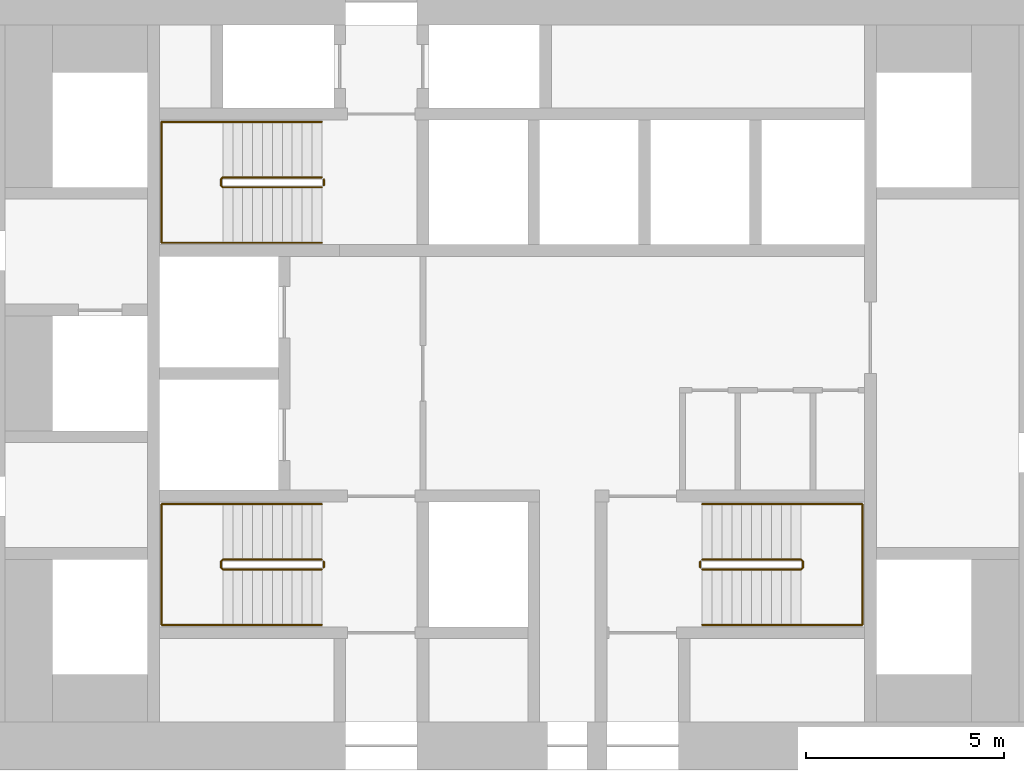
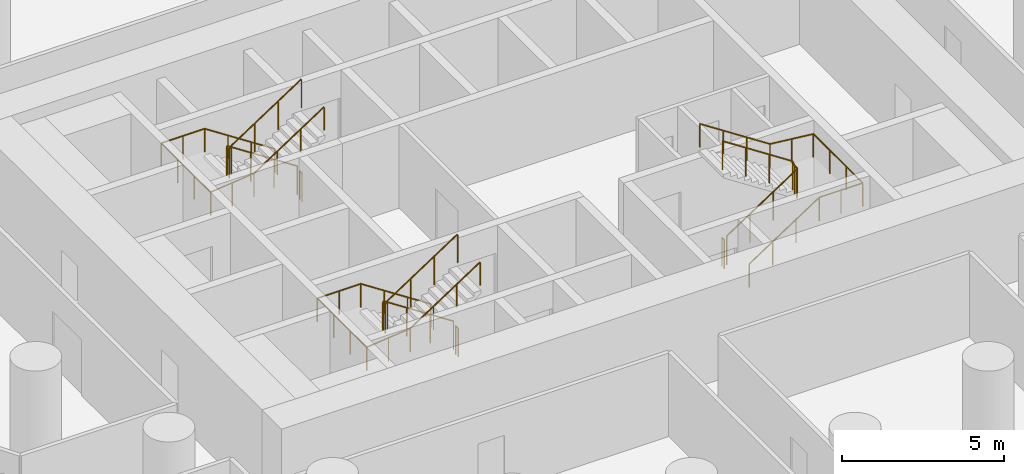
# One storey, part 12 of 12: 9 railings.
"""IFC4 building model written with IfcOpenShell, lengths in metres."""

from ifc_helpers import new_model, si_unit, direction, frame, origin, origin_2d, place, context, subcontext, project, spatial, circle, extrude, material, type_object, element, save


model = new_model("IFC4")

# Units and contexts
model_context = context("Model", 3, precision=1e-05, world=origin(), true_north=direction((0.0, 1.0)))
body_context = subcontext(model_context, "Body", "Model", "MODEL_VIEW")
ifc_project = project(units=[si_unit("LENGTHUNIT", "METRE"), si_unit("AREAUNIT", "SQUARE_METRE"), si_unit("VOLUMEUNIT", "CUBIC_METRE"), si_unit("PLANEANGLEUNIT", "RADIAN"), si_unit("MASSUNIT", "GRAM", prefix="KILO")], contexts=[model_context])

# Site, building, storey
site_placement = place(None, origin())
site = spatial("IfcSite", under=ifc_project, at=site_placement, CompositionType="ELEMENT")
building_placement = place(site_placement, origin())
building = spatial("IfcBuilding", under=site, at=building_placement, Name="Tracery Tower", CompositionType="ELEMENT")
storey_placement = place(building_placement, frame((0.0, 0.0, 49.800048828125)))
storey = spatial("IfcBuildingStorey", under=building, at=storey_placement, Name="L11", CompositionType="ELEMENT", Elevation=49.800048828125)

# Railings
ifc_material_1 = material(Name="Stainless steel and laminated glass", Category="steel")
railing_type_1 = type_object("IfcRailingType", Name="Stair guard 1100", PredefinedType="GUARDRAIL", material=ifc_material_1)
railing_1_placement = place(storey_placement, frame((-4.800048828125, -4.699951171875, 0.16357421875)))
element("IfcRailing", 1, at=railing_1_placement, inside=storey, type_object=railing_type_1, Name="L11 stair ST1 guard 1", PredefinedType="GUARDRAIL", context=body_context, shape_type="SweptSolid", body=[
    extrude(circle(Radius=0.02392578125, at=origin_2d()), frame((0.0, 0.0, 1.076171875), z_axis=(-0.83668449804, 0.0, 0.54768517484), x_axis=(0.0, -1.0, 0.0)), (0.0, 0.0, 1.0), 2.988037109375),
    extrude(circle(Radius=0.02392578125, at=origin_2d()), frame((-2.5, 0.0, 2.71240234375), z_axis=(-0.707106781187, -0.707106781187, 0.0), x_axis=(0.707106781187, -0.707106781187, 0.0)), (0.0, 0.0, 1.0), 0.07080078125),
    extrude(circle(Radius=0.02392578125, at=origin_2d()), frame((-2.550048828125, -0.050048828125, 2.71240234375), z_axis=(0.0, -1.0, 0.0), x_axis=(1.0, 0.0, 0.0)), (0.0, 0.0, 1.0), 0.14990234375),
    extrude(circle(Radius=0.02392578125, at=origin_2d()), frame((-2.550048828125, -0.199951171875, 2.71240234375), z_axis=(0.280808744504, -0.280808744504, 0.917765164963), x_axis=(0.707106781187, 0.707106781187, 0.0)), (0.0, 0.0, 1.0), 0.17822265625),
    extrude(circle(Radius=0.02392578125, at=origin_2d()), frame((-2.5, -0.25, 2.8759765625), z_axis=(0.836721939367, 0.0, 0.547627972425), x_axis=(0.0, 1.0, 0.0)), (0.0, 0.0, 1.0), 2.98779296875),
    extrude(circle(Radius=0.02099609375, at=origin_2d()), origin(), (0.0, 0.0, 1.0), 1.052001953125),
    extrude(circle(Radius=0.02099609375, at=origin_2d()), frame((-0.833251953125, 0.0, 0.54541015625)), (0.0, 0.0, 1.0), 1.052001953125),
    extrude(circle(Radius=0.02099609375, at=origin_2d()), frame((-1.666748046875, 0.0, 1.091064453125)), (0.0, 0.0, 1.0), 1.052001953125),
    extrude(circle(Radius=0.02099609375, at=origin_2d()), frame((-2.5, 0.0, 1.636474609375)), (0.0, 0.0, 1.0), 1.052001953125),
    extrude(circle(Radius=0.02099609375, at=origin_2d()), frame((-2.550048828125, -0.050048828125, 1.636474609375)), (0.0, 0.0, 1.0), 1.052001953125),
    extrude(circle(Radius=0.02099609375, at=origin_2d()), frame((-2.550048828125, -0.199951171875, 1.636474609375)), (0.0, 0.0, 1.0), 1.052001953125),
    extrude(circle(Radius=0.02099609375, at=origin_2d()), frame((-2.5, -0.25, 1.800048828125)), (0.0, 0.0, 1.0), 1.052001953125),
    extrude(circle(Radius=0.02099609375, at=origin_2d()), frame((-1.666748046875, -0.25, 2.345458984375)), (0.0, 0.0, 1.0), 1.052001953125),
    extrude(circle(Radius=0.02099609375, at=origin_2d()), frame((-0.833251953125, -0.25, 2.890869140625)), (0.0, 0.0, 1.0), 1.052001953125),
    extrude(circle(Radius=0.02099609375, at=origin_2d()), frame((0.0, -0.25, 3.436279296875)), (0.0, 0.0, 1.0), 1.052001953125),
])
railing_2_placement = place(storey_placement, frame((-4.75, -4.75, 0.0)))
element("IfcRailing", 2, at=railing_2_placement, inside=storey, type_object=railing_type_1, Name="L11 stair ST1 guard 2", PredefinedType="GUARDRAIL", context=body_context, shape_type="SweptSolid", body=[
    extrude(circle(Radius=0.02392578125, at=origin_2d()), frame((0.0, 0.0, 1.076171875), z_axis=(0.0, -1.0, 0.0), x_axis=(1.0, 0.0, 0.0)), (0.0, 0.0, 1.0), 0.14990234375),
    extrude(circle(Radius=0.02099609375, at=origin_2d()), origin(), (0.0, 0.0, 1.0), 1.052001953125),
    extrude(circle(Radius=0.02099609375, at=origin_2d()), frame((0.0, -0.14990234375, 0.0)), (0.0, 0.0, 1.0), 1.052001953125),
])
railing_3_placement = place(storey_placement, frame((-4.800048828125, 4.949951171875, 0.16357421875)))
element("IfcRailing", 3, at=railing_3_placement, inside=storey, type_object=railing_type_1, Name="L11 stair ST3 guard 1", PredefinedType="GUARDRAIL", context=body_context, shape_type="SweptSolid", body=[
    extrude(circle(Radius=0.02392578125, at=origin_2d()), frame((0.0, 0.0, 1.076171875), z_axis=(-0.83668449804, 0.0, 0.54768517484), x_axis=(0.0, -1.0, 0.0)), (0.0, 0.0, 1.0), 2.988037109375),
    extrude(circle(Radius=0.02392578125, at=origin_2d()), frame((-2.5, 0.0, 2.71240234375), z_axis=(-0.707106781187, -0.707106781187, 0.0), x_axis=(0.707106781187, -0.707106781187, 0.0)), (0.0, 0.0, 1.0), 0.07080078125),
    extrude(circle(Radius=0.02392578125, at=origin_2d()), frame((-2.550048828125, -0.050048828125, 2.71240234375), z_axis=(0.0, -1.0, 0.0), x_axis=(1.0, 0.0, 0.0)), (0.0, 0.0, 1.0), 0.14990234375),
    extrude(circle(Radius=0.02392578125, at=origin_2d()), frame((-2.550048828125, -0.199951171875, 2.71240234375), z_axis=(0.280808744504, -0.280808744504, 0.917765164963), x_axis=(0.707106781187, 0.707106781187, 0.0)), (0.0, 0.0, 1.0), 0.17822265625),
    extrude(circle(Radius=0.02392578125, at=origin_2d()), frame((-2.5, -0.25, 2.8759765625), z_axis=(0.836721939367, 0.0, 0.547627972425), x_axis=(0.0, 1.0, 0.0)), (0.0, 0.0, 1.0), 2.98779296875),
    extrude(circle(Radius=0.02099609375, at=origin_2d()), origin(), (0.0, 0.0, 1.0), 1.052001953125),
    extrude(circle(Radius=0.02099609375, at=origin_2d()), frame((-0.833251953125, 0.0, 0.54541015625)), (0.0, 0.0, 1.0), 1.052001953125),
    extrude(circle(Radius=0.02099609375, at=origin_2d()), frame((-1.666748046875, 0.0, 1.091064453125)), (0.0, 0.0, 1.0), 1.052001953125),
    extrude(circle(Radius=0.02099609375, at=origin_2d()), frame((-2.5, 0.0, 1.636474609375)), (0.0, 0.0, 1.0), 1.052001953125),
    extrude(circle(Radius=0.02099609375, at=origin_2d()), frame((-2.550048828125, -0.050048828125, 1.636474609375)), (0.0, 0.0, 1.0), 1.052001953125),
    extrude(circle(Radius=0.02099609375, at=origin_2d()), frame((-2.550048828125, -0.199951171875, 1.636474609375)), (0.0, 0.0, 1.0), 1.052001953125),
    extrude(circle(Radius=0.02099609375, at=origin_2d()), frame((-2.5, -0.25, 1.800048828125)), (0.0, 0.0, 1.0), 1.052001953125),
    extrude(circle(Radius=0.02099609375, at=origin_2d()), frame((-1.666748046875, -0.25, 2.345458984375)), (0.0, 0.0, 1.0), 1.052001953125),
    extrude(circle(Radius=0.02099609375, at=origin_2d()), frame((-0.833251953125, -0.25, 2.890869140625)), (0.0, 0.0, 1.0), 1.052001953125),
    extrude(circle(Radius=0.02099609375, at=origin_2d()), frame((0.0, -0.25, 3.436279296875)), (0.0, 0.0, 1.0), 1.052001953125),
])
railing_4_placement = place(storey_placement, frame((-4.75, 4.89990234375, 0.0)))
element("IfcRailing", 4, at=railing_4_placement, inside=storey, type_object=railing_type_1, Name="L11 stair ST3 guard 2", PredefinedType="GUARDRAIL", context=body_context, shape_type="SweptSolid", body=[
    extrude(circle(Radius=0.02392578125, at=origin_2d()), frame((0.0, 0.0, 1.076171875), z_axis=(0.0, -1.0, 0.0), x_axis=(1.0, 0.0, 0.0)), (0.0, 0.0, 1.0), 0.14990234375),
    extrude(circle(Radius=0.02099609375, at=origin_2d()), origin(), (0.0, 0.0, 1.0), 1.052001953125),
    extrude(circle(Radius=0.02099609375, at=origin_2d()), frame((0.0, -0.14990234375, 0.0)), (0.0, 0.0, 1.0), 1.052001953125),
])
railing_5_placement = place(storey_placement, frame((4.800048828125, -4.949951171875, 0.16357421875)))
element("IfcRailing", 5, at=railing_5_placement, inside=storey, type_object=railing_type_1, Name="L11 stair ST2 guard 1", PredefinedType="GUARDRAIL", context=body_context, shape_type="SweptSolid", body=[
    extrude(circle(Radius=0.02392578125, at=origin_2d()), frame((0.0, 0.0, 1.076171875), z_axis=(0.83668449804, 0.0, 0.54768517484), x_axis=(0.0, 1.0, 0.0)), (0.0, 0.0, 1.0), 2.988037109375),
    extrude(circle(Radius=0.02392578125, at=origin_2d()), frame((2.5, 0.0, 2.71240234375), z_axis=(0.707106781187, 0.707106781187, 0.0), x_axis=(-0.707106781187, 0.707106781187, 0.0)), (0.0, 0.0, 1.0), 0.07080078125),
    extrude(circle(Radius=0.02392578125, at=origin_2d()), frame((2.550048828125, 0.050048828125, 2.71240234375), z_axis=(0.0, 1.0, 0.0), x_axis=(-1.0, 0.0, 0.0)), (0.0, 0.0, 1.0), 0.14990234375),
    extrude(circle(Radius=0.02392578125, at=origin_2d()), frame((2.550048828125, 0.199951171875, 2.71240234375), z_axis=(-0.280808744504, 0.280808744504, 0.917765164963), x_axis=(-0.707106781187, -0.707106781187, 0.0)), (0.0, 0.0, 1.0), 0.17822265625),
    extrude(circle(Radius=0.02392578125, at=origin_2d()), frame((2.5, 0.25, 2.8759765625), z_axis=(-0.836721939367, 0.0, 0.547627972425), x_axis=(0.0, -1.0, 0.0)), (0.0, 0.0, 1.0), 2.98779296875),
    extrude(circle(Radius=0.02099609375, at=origin_2d()), origin(), (0.0, 0.0, 1.0), 1.052001953125),
    extrude(circle(Radius=0.02099609375, at=origin_2d()), frame((0.833251953125, 0.0, 0.54541015625)), (0.0, 0.0, 1.0), 1.052001953125),
    extrude(circle(Radius=0.02099609375, at=origin_2d()), frame((1.666748046875, 0.0, 1.091064453125)), (0.0, 0.0, 1.0), 1.052001953125),
    extrude(circle(Radius=0.02099609375, at=origin_2d()), frame((2.5, 0.0, 1.636474609375)), (0.0, 0.0, 1.0), 1.052001953125),
    extrude(circle(Radius=0.02099609375, at=origin_2d()), frame((2.550048828125, 0.050048828125, 1.636474609375)), (0.0, 0.0, 1.0), 1.052001953125),
    extrude(circle(Radius=0.02099609375, at=origin_2d()), frame((2.550048828125, 0.199951171875, 1.636474609375)), (0.0, 0.0, 1.0), 1.052001953125),
    extrude(circle(Radius=0.02099609375, at=origin_2d()), frame((2.5, 0.25, 1.800048828125)), (0.0, 0.0, 1.0), 1.052001953125),
    extrude(circle(Radius=0.02099609375, at=origin_2d()), frame((1.666748046875, 0.25, 2.345458984375)), (0.0, 0.0, 1.0), 1.052001953125),
    extrude(circle(Radius=0.02099609375, at=origin_2d()), frame((0.833251953125, 0.25, 2.890869140625)), (0.0, 0.0, 1.0), 1.052001953125),
    extrude(circle(Radius=0.02099609375, at=origin_2d()), frame((0.0, 0.25, 3.436279296875)), (0.0, 0.0, 1.0), 1.052001953125),
])
railing_6_placement = place(storey_placement, frame((4.75, -4.89990234375, 0.0)))
element("IfcRailing", 6, at=railing_6_placement, inside=storey, type_object=railing_type_1, Name="L11 stair ST2 guard 2", PredefinedType="GUARDRAIL", context=body_context, shape_type="SweptSolid", body=[
    extrude(circle(Radius=0.02392578125, at=origin_2d()), frame((0.0, 0.0, 1.076171875), z_axis=(0.0, 1.0, 0.0), x_axis=(-1.0, 0.0, 0.0)), (0.0, 0.0, 1.0), 0.14990234375),
    extrude(circle(Radius=0.02099609375, at=origin_2d()), origin(), (0.0, 0.0, 1.0), 1.052001953125),
    extrude(circle(Radius=0.02099609375, at=origin_2d()), frame((0.0, 0.14990234375, 0.0)), (0.0, 0.0, 1.0), 1.052001953125),
])
ifc_material_2 = material(Name="Stainless steel and laminated glass", Category="steel")
railing_type_2 = type_object("IfcRailingType", Name="Stair handrail 900", PredefinedType="HANDRAIL", material=ifc_material_2)
railing_7_placement = place(storey_placement, frame((-4.800048828125, -3.300048828125, 0.16357421875)))
element("IfcRailing", 7, at=railing_7_placement, inside=storey, type_object=railing_type_2, Name="L11 stair ST1 handrail 1", PredefinedType="HANDRAIL", context=body_context, shape_type="SweptSolid", body=[
    extrude(circle(Radius=0.02392578125, at=origin_2d()), frame((0.0, 0.0, 0.8759765625), z_axis=(-0.83668449804, 0.0, 0.54768517484), x_axis=(0.0, -1.0, 0.0)), (0.0, 0.0, 1.0), 2.988037109375),
    extrude(circle(Radius=0.02392578125, at=origin_2d()), frame((-2.5, 0.0, 2.51220703125), z_axis=(-1.0, 0.0, 0.0), x_axis=(0.0, -1.0, 0.0)), (0.0, 0.0, 1.0), 1.550048828125),
    extrude(circle(Radius=0.02392578125, at=origin_2d()), frame((-4.050048828125, 0.0, 2.51220703125), z_axis=(0.0, -1.0, 0.0), x_axis=(1.0, 0.0, 0.0)), (0.0, 0.0, 1.0), 3.050048828125),
    extrude(circle(Radius=0.02392578125, at=origin_2d()), frame((-4.050048828125, -3.050048828125, 2.51220703125), z_axis=(0.994477953863, 0.0, 0.104945696817), x_axis=(0.0, 1.0, 0.0)), (0.0, 0.0, 1.0), 1.55859375),
    extrude(circle(Radius=0.02392578125, at=origin_2d()), frame((-2.5, -3.050048828125, 2.67578125), z_axis=(0.836721939367, 0.0, 0.547627972425), x_axis=(0.0, 1.0, 0.0)), (0.0, 0.0, 1.0), 2.98779296875),
    extrude(circle(Radius=0.02099609375, at=origin_2d()), origin(), (0.0, 0.0, 1.0), 0.851806640625),
    extrude(circle(Radius=0.02099609375, at=origin_2d()), frame((-0.833251953125, 0.0, 0.54541015625)), (0.0, 0.0, 1.0), 0.851806640625),
    extrude(circle(Radius=0.02099609375, at=origin_2d()), frame((-1.666748046875, 0.0, 1.091064453125)), (0.0, 0.0, 1.0), 0.851806640625),
    extrude(circle(Radius=0.02099609375, at=origin_2d()), frame((-2.5, 0.0, 1.636474609375)), (0.0, 0.0, 1.0), 0.851806640625),
    extrude(circle(Radius=0.02099609375, at=origin_2d()), frame((-3.27490234375, 0.0, 1.636474609375)), (0.0, 0.0, 1.0), 0.851806640625),
    extrude(circle(Radius=0.02099609375, at=origin_2d()), frame((-4.050048828125, 0.0, 1.636474609375)), (0.0, 0.0, 1.0), 0.851806640625),
    extrude(circle(Radius=0.02099609375, at=origin_2d()), frame((-4.050048828125, -1.0166015625, 1.636474609375)), (0.0, 0.0, 1.0), 0.851806640625),
    extrude(circle(Radius=0.02099609375, at=origin_2d()), frame((-4.050048828125, -2.033447265625, 1.636474609375)), (0.0, 0.0, 1.0), 0.851806640625),
    extrude(circle(Radius=0.02099609375, at=origin_2d()), frame((-4.050048828125, -3.050048828125, 1.636474609375)), (0.0, 0.0, 1.0), 0.851806640625),
    extrude(circle(Radius=0.02099609375, at=origin_2d()), frame((-3.27490234375, -3.050048828125, 1.71826171875)), (0.0, 0.0, 1.0), 0.851806640625),
    extrude(circle(Radius=0.02099609375, at=origin_2d()), frame((-2.5, -3.050048828125, 1.800048828125)), (0.0, 0.0, 1.0), 0.851806640625),
    extrude(circle(Radius=0.02099609375, at=origin_2d()), frame((-1.666748046875, -3.050048828125, 2.345458984375)), (0.0, 0.0, 1.0), 0.851806640625),
    extrude(circle(Radius=0.02099609375, at=origin_2d()), frame((-0.833251953125, -3.050048828125, 2.890869140625)), (0.0, 0.0, 1.0), 0.851806640625),
    extrude(circle(Radius=0.02099609375, at=origin_2d()), frame((0.0, -3.050048828125, 3.436279296875)), (0.0, 0.0, 1.0), 0.851806640625),
])
railing_8_placement = place(storey_placement, frame((-4.800048828125, 6.35009765625, 0.16357421875)))
element("IfcRailing", 8, at=railing_8_placement, inside=storey, type_object=railing_type_2, Name="L11 stair ST3 handrail 1", PredefinedType="HANDRAIL", context=body_context, shape_type="SweptSolid", body=[
    extrude(circle(Radius=0.02392578125, at=origin_2d()), frame((0.0, 0.0, 0.8759765625), z_axis=(-0.83668449804, 0.0, 0.54768517484), x_axis=(0.0, -1.0, 0.0)), (0.0, 0.0, 1.0), 2.988037109375),
    extrude(circle(Radius=0.02392578125, at=origin_2d()), frame((-2.5, 0.0, 2.51220703125), z_axis=(-1.0, 0.0, 0.0), x_axis=(0.0, -1.0, 0.0)), (0.0, 0.0, 1.0), 1.550048828125),
    extrude(circle(Radius=0.02392578125, at=origin_2d()), frame((-4.050048828125, 0.0, 2.51220703125), z_axis=(0.0, -1.0, 0.0), x_axis=(1.0, 0.0, 0.0)), (0.0, 0.0, 1.0), 3.050048828125),
    extrude(circle(Radius=0.02392578125, at=origin_2d()), frame((-4.050048828125, -3.050048828125, 2.51220703125), z_axis=(0.994477953863, 0.0, 0.104945696817), x_axis=(0.0, 1.0, 0.0)), (0.0, 0.0, 1.0), 1.55859375),
    extrude(circle(Radius=0.02392578125, at=origin_2d()), frame((-2.5, -3.050048828125, 2.67578125), z_axis=(0.836721939367, 0.0, 0.547627972425), x_axis=(0.0, 1.0, 0.0)), (0.0, 0.0, 1.0), 2.98779296875),
    extrude(circle(Radius=0.02099609375, at=origin_2d()), origin(), (0.0, 0.0, 1.0), 0.851806640625),
    extrude(circle(Radius=0.02099609375, at=origin_2d()), frame((-0.833251953125, 0.0, 0.54541015625)), (0.0, 0.0, 1.0), 0.851806640625),
    extrude(circle(Radius=0.02099609375, at=origin_2d()), frame((-1.666748046875, 0.0, 1.091064453125)), (0.0, 0.0, 1.0), 0.851806640625),
    extrude(circle(Radius=0.02099609375, at=origin_2d()), frame((-2.5, 0.0, 1.636474609375)), (0.0, 0.0, 1.0), 0.851806640625),
    extrude(circle(Radius=0.02099609375, at=origin_2d()), frame((-3.27490234375, 0.0, 1.636474609375)), (0.0, 0.0, 1.0), 0.851806640625),
    extrude(circle(Radius=0.02099609375, at=origin_2d()), frame((-4.050048828125, 0.0, 1.636474609375)), (0.0, 0.0, 1.0), 0.851806640625),
    extrude(circle(Radius=0.02099609375, at=origin_2d()), frame((-4.050048828125, -1.0166015625, 1.636474609375)), (0.0, 0.0, 1.0), 0.851806640625),
    extrude(circle(Radius=0.02099609375, at=origin_2d()), frame((-4.050048828125, -2.033447265625, 1.636474609375)), (0.0, 0.0, 1.0), 0.851806640625),
    extrude(circle(Radius=0.02099609375, at=origin_2d()), frame((-4.050048828125, -3.050048828125, 1.636474609375)), (0.0, 0.0, 1.0), 0.851806640625),
    extrude(circle(Radius=0.02099609375, at=origin_2d()), frame((-3.27490234375, -3.050048828125, 1.71826171875)), (0.0, 0.0, 1.0), 0.851806640625),
    extrude(circle(Radius=0.02099609375, at=origin_2d()), frame((-2.5, -3.050048828125, 1.800048828125)), (0.0, 0.0, 1.0), 0.851806640625),
    extrude(circle(Radius=0.02099609375, at=origin_2d()), frame((-1.666748046875, -3.050048828125, 2.345458984375)), (0.0, 0.0, 1.0), 0.851806640625),
    extrude(circle(Radius=0.02099609375, at=origin_2d()), frame((-0.833251953125, -3.050048828125, 2.890869140625)), (0.0, 0.0, 1.0), 0.851806640625),
    extrude(circle(Radius=0.02099609375, at=origin_2d()), frame((0.0, -3.050048828125, 3.436279296875)), (0.0, 0.0, 1.0), 0.851806640625),
])
railing_9_placement = place(storey_placement, frame((4.800048828125, -6.35009765625, 0.16357421875)))
element("IfcRailing", 9, at=railing_9_placement, inside=storey, type_object=railing_type_2, Name="L11 stair ST2 handrail 1", PredefinedType="HANDRAIL", context=body_context, shape_type="SweptSolid", body=[
    extrude(circle(Radius=0.02392578125, at=origin_2d()), frame((0.0, 0.0, 0.8759765625), z_axis=(0.83668449804, 0.0, 0.54768517484), x_axis=(0.0, 1.0, 0.0)), (0.0, 0.0, 1.0), 2.988037109375),
    extrude(circle(Radius=0.02392578125, at=origin_2d()), frame((2.5, 0.0, 2.51220703125), z_axis=(1.0, 0.0, 0.0), x_axis=(0.0, 1.0, 0.0)), (0.0, 0.0, 1.0), 1.550048828125),
    extrude(circle(Radius=0.02392578125, at=origin_2d()), frame((4.050048828125, 0.0, 2.51220703125), z_axis=(0.0, 1.0, 0.0), x_axis=(-1.0, 0.0, 0.0)), (0.0, 0.0, 1.0), 3.050048828125),
    extrude(circle(Radius=0.02392578125, at=origin_2d()), frame((4.050048828125, 3.050048828125, 2.51220703125), z_axis=(-0.994477953863, 0.0, 0.104945696817), x_axis=(0.0, -1.0, 0.0)), (0.0, 0.0, 1.0), 1.55859375),
    extrude(circle(Radius=0.02392578125, at=origin_2d()), frame((2.5, 3.050048828125, 2.67578125), z_axis=(-0.836721939367, 0.0, 0.547627972425), x_axis=(0.0, -1.0, 0.0)), (0.0, 0.0, 1.0), 2.98779296875),
    extrude(circle(Radius=0.02099609375, at=origin_2d()), origin(), (0.0, 0.0, 1.0), 0.851806640625),
    extrude(circle(Radius=0.02099609375, at=origin_2d()), frame((0.833251953125, 0.0, 0.54541015625)), (0.0, 0.0, 1.0), 0.851806640625),
    extrude(circle(Radius=0.02099609375, at=origin_2d()), frame((1.666748046875, 0.0, 1.091064453125)), (0.0, 0.0, 1.0), 0.851806640625),
    extrude(circle(Radius=0.02099609375, at=origin_2d()), frame((2.5, 0.0, 1.636474609375)), (0.0, 0.0, 1.0), 0.851806640625),
    extrude(circle(Radius=0.02099609375, at=origin_2d()), frame((3.27490234375, 0.0, 1.636474609375)), (0.0, 0.0, 1.0), 0.851806640625),
    extrude(circle(Radius=0.02099609375, at=origin_2d()), frame((4.050048828125, 0.0, 1.636474609375)), (0.0, 0.0, 1.0), 0.851806640625),
    extrude(circle(Radius=0.02099609375, at=origin_2d()), frame((4.050048828125, 1.0166015625, 1.636474609375)), (0.0, 0.0, 1.0), 0.851806640625),
    extrude(circle(Radius=0.02099609375, at=origin_2d()), frame((4.050048828125, 2.033447265625, 1.636474609375)), (0.0, 0.0, 1.0), 0.851806640625),
    extrude(circle(Radius=0.02099609375, at=origin_2d()), frame((4.050048828125, 3.050048828125, 1.636474609375)), (0.0, 0.0, 1.0), 0.851806640625),
    extrude(circle(Radius=0.02099609375, at=origin_2d()), frame((3.27490234375, 3.050048828125, 1.71826171875)), (0.0, 0.0, 1.0), 0.851806640625),
    extrude(circle(Radius=0.02099609375, at=origin_2d()), frame((2.5, 3.050048828125, 1.800048828125)), (0.0, 0.0, 1.0), 0.851806640625),
    extrude(circle(Radius=0.02099609375, at=origin_2d()), frame((1.666748046875, 3.050048828125, 2.345458984375)), (0.0, 0.0, 1.0), 0.851806640625),
    extrude(circle(Radius=0.02099609375, at=origin_2d()), frame((0.833251953125, 3.050048828125, 2.890869140625)), (0.0, 0.0, 1.0), 0.851806640625),
    extrude(circle(Radius=0.02099609375, at=origin_2d()), frame((0.0, 3.050048828125, 3.436279296875)), (0.0, 0.0, 1.0), 0.851806640625),
])

save(model, "model.ifc")
